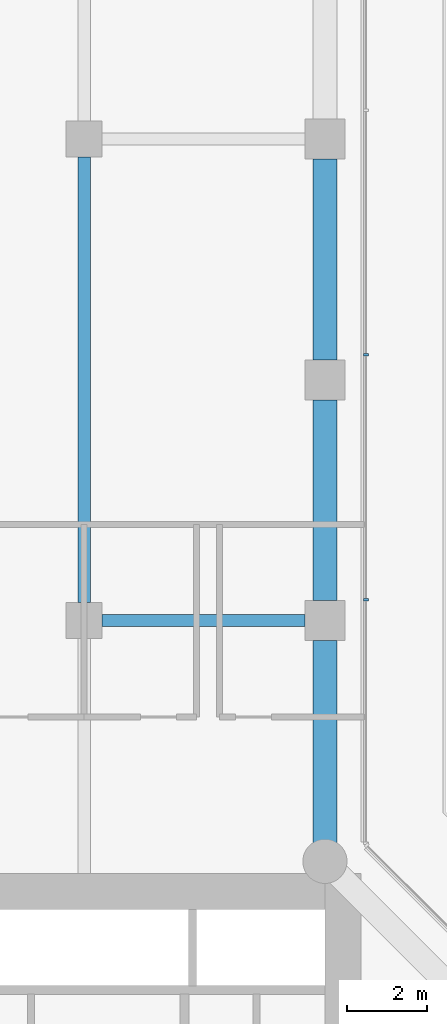
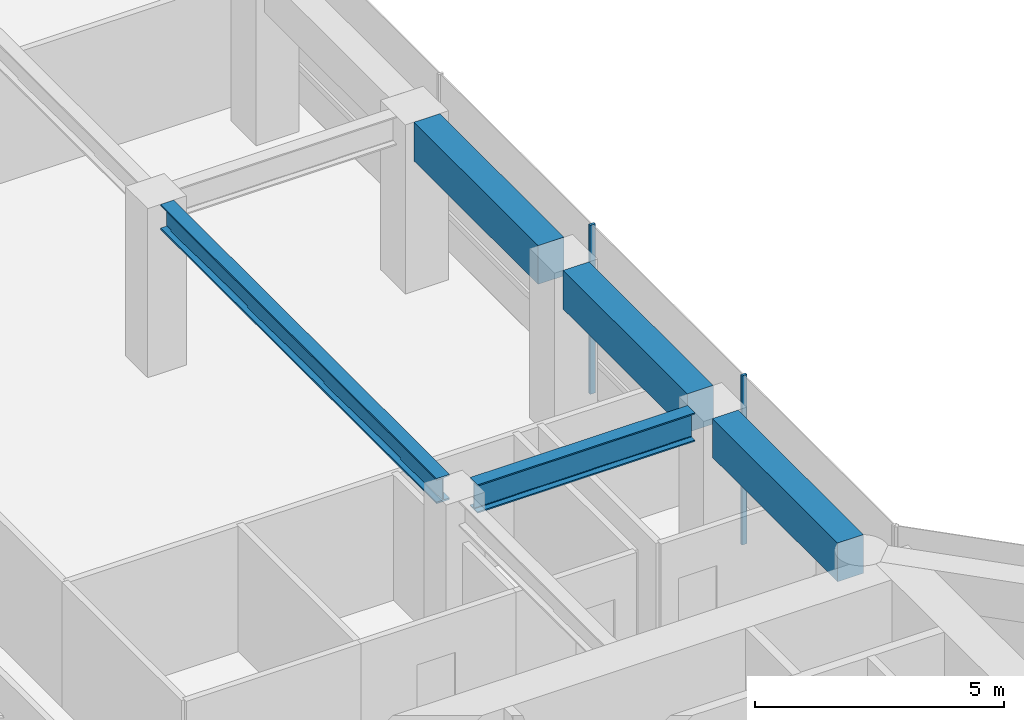
# One storey, part 14 of 24: 5 beams, 2 members, 1 element without a shape of its own.
"""IFC4 building model written with IfcOpenShell, lengths in metres."""

from ifc_helpers import new_model, si_unit, direction, frame, origin, origin_2d, place, context, subcontext, project, spatial, rectangle, i_section, extrude, material, layer, layer_set, material_profile, profile_set, type_object, element, aggregate, save


model = new_model("IFC4")

# Units and contexts
model_context = context("Model", 3, precision=1e-05, world=origin(), true_north=direction((0.0, 1.0)))
body_context = subcontext(model_context, "Body", "Model", "MODEL_VIEW")
ifc_project = project(units=[si_unit("LENGTHUNIT", "METRE"), si_unit("AREAUNIT", "SQUARE_METRE"), si_unit("VOLUMEUNIT", "CUBIC_METRE"), si_unit("PLANEANGLEUNIT", "RADIAN"), si_unit("MASSUNIT", "GRAM", prefix="KILO")], contexts=[model_context])

# Site, building, storey
site_placement = place(None, origin())
site = spatial("IfcSite", under=ifc_project, at=site_placement, CompositionType="ELEMENT")
building_placement = place(site_placement, origin())
building = spatial("IfcBuilding", under=site, at=building_placement, Name="Welwitschia Terrace Campus", CompositionType="ELEMENT")
storey_placement = place(building_placement, frame((0.0, 0.0, 24.5)))
storey = spatial("IfcBuildingStorey", under=building, at=storey_placement, Name="L05", CompositionType="ELEMENT", Elevation=24.5)

# Beam
ifc_material_1 = material(Name="Steel S355", Category="steel")
ifc_material_profile_1 = material_profile(ifc_material_1, i_section(OverallWidth=0.304931640625, OverallDepth=0.6201171875, WebThickness=0.02099609375, FlangeThickness=0.0400390625, FilletRadius=0.027099609375, at=origin_2d()))
ifc_profile_set_1 = profile_set([ifc_material_profile_1], Name="Steel S355")
beam_type_1 = type_object("IfcBeamType", Name="Interior girder HE 600 M", PredefinedType="BEAM", material=ifc_profile_set_1)
beam_1_placement = place(storey_placement, frame((18.0, 32.450439453125, 3.840087890625), z_axis=(0.0, 1.0, 0.0), x_axis=(-1.0, 0.0, 0.0)))
element("IfcBeam", 1, at=beam_1_placement, inside=storey, type_object=beam_type_1, Name="Girder GB1", PredefinedType="BEAM", context=body_context, shape_type="SweptSolid", body=[
    extrude(i_section(OverallWidth=0.304931640625, OverallDepth=0.6201171875, WebThickness=0.02099609375, FlangeThickness=0.0400390625, FilletRadius=0.027099609375, at=origin_2d()), origin(), (0.0, 0.0, 1.0), 11.09912109375),
])

# Curtain wall, members
ifc_material_2 = material(Name="Bronze anodised aluminium", Category="aluminium")
ifc_layer = layer(ifc_material_2, 0.1201171875)
ifc_layer_set = layer_set([ifc_layer], Name="Bronze anodised aluminium")
curtain_wall_type = type_object("IfcCurtainWallType", Name="Curtain wall CW2 tower 6000", PredefinedType="NOTDEFINED", material=ifc_layer_set)
curtain_wall_placement = place(storey_placement, origin())
curtain_wall = element("IfcCurtainWall", 2, at=curtain_wall_placement, inside=storey, type_object=curtain_wall_type, Name="CW L05.7.0", PredefinedType="NOTDEFINED")
ifc_material_3 = material(Name="Bronze anodised aluminium", Category="aluminium")
ifc_material_profile_2 = material_profile(ifc_material_3, rectangle(XDim=0.1201171875, YDim=0.06005859375, at=origin_2d()))
ifc_profile_set_2 = profile_set([ifc_material_profile_2], Name="Bronze anodised aluminium")
member_type = type_object("IfcMemberType", Name="Mullion 60x120", PredefinedType="MULLION", material=ifc_profile_set_2)
member_1_placement = place(storey_placement, frame((25.02001953125, 32.52197265625, 0.0), z_axis=(0.0, 0.0, 1.0), x_axis=(-1.0, 0.0, 0.0)))
member_1 = element("IfcMember", 3, at=member_1_placement, type_object=member_type, Name="Mullion L05.7.0.1", PredefinedType="MULLION", context=body_context, shape_type="SweptSolid", body=[
    extrude(rectangle(XDim=0.1201171875, YDim=0.06005859375, at=origin_2d()), origin(), (0.0, 0.0, 1.0), 4.14990234375),
])
member_2_placement = place(storey_placement, frame((25.02001953125, 38.62158203125, 0.0), z_axis=(0.0, 0.0, 1.0), x_axis=(-1.0, 0.0, 0.0)))
member_2 = element("IfcMember", 4, at=member_2_placement, type_object=member_type, Name="Mullion L05.7.0.2", PredefinedType="MULLION", context=body_context, shape_type="SweptSolid", body=[
    extrude(rectangle(XDim=0.1201171875, YDim=0.06005859375, at=origin_2d()), origin(), (0.0, 0.0, 1.0), 4.14990234375),
])
aggregate(curtain_wall, [member_1, member_2])

# Beams
ifc_material_4 = material(Name="Steel S355", Category="steel")
ifc_material_profile_3 = material_profile(ifc_material_4, i_section(OverallWidth=0.300048828125, OverallDepth=0.699951171875, WebThickness=0.01708984375, FlangeThickness=0.031982421875, FilletRadius=0.027099609375, at=origin_2d()))
ifc_profile_set_3 = profile_set([ifc_material_profile_3], Name="Steel S355")
beam_type_2 = type_object("IfcBeamType", Name="Primary beam HE 700 B", PredefinedType="BEAM", material=ifc_profile_set_3)
beam_2_placement = place(storey_placement, frame((23.49951171875, 32.0, 3.800048828125), z_axis=(-1.0, 0.0, 0.0), x_axis=(0.0, -1.0, 0.0)))
element("IfcBeam", 5, at=beam_2_placement, inside=storey, type_object=beam_type_2, Name="Primary beam PB1", PredefinedType="BEAM", context=body_context, shape_type="SweptSolid", body=[
    extrude(i_section(OverallWidth=0.300048828125, OverallDepth=0.699951171875, WebThickness=0.01708984375, FlangeThickness=0.031982421875, FilletRadius=0.027099609375, at=origin_2d()), origin(), (0.0, 0.0, 1.0), 5.049072265625),
])
ifc_material_5 = material(Name="Concrete C60/75", Category="concrete")
ifc_material_profile_4 = material_profile(ifc_material_5, rectangle(XDim=0.60009765625, YDim=0.949951171875, at=origin_2d()))
ifc_profile_set_4 = profile_set([ifc_material_profile_4], Name="Concrete C60/75")
beam_type_3 = type_object("IfcBeamType", Name="Ring spandrel 600x950", PredefinedType="SPANDREL", material=ifc_profile_set_4)
beam_3_placement = place(storey_placement, frame((24.0, 26.46142578125, 3.675048828125), z_axis=(0.0, 1.0, 0.0), x_axis=(-1.0, 0.0, 0.0)))
element("IfcBeam", 6, at=beam_3_placement, inside=storey, type_object=beam_type_3, Name="Spandrel SP1", PredefinedType="SPANDREL", context=body_context, shape_type="SweptSolid", body=[
    extrude(rectangle(XDim=0.60009765625, YDim=0.949951171875, at=origin_2d()), origin(), (0.0, 0.0, 1.0), 5.0380859375),
])
for number, where, z_axis, x_axis, name in (
    (7, (24.0, 32.50048828125, 3.675048828125), (0.0, 1.0, 0.0), (-1.0, 0.0, 0.0), "Spandrel SP1"),
    (8, (24.0, 38.50048828125, 3.675048828125), (0.0, 1.0, 0.0), (-1.0, 0.0, 0.0), "Spandrel SP1"),
):
    element("IfcBeam", number, at=place(storey_placement, frame(where, z_axis=z_axis, x_axis=x_axis)), inside=storey, type_object=beam_type_3, Name=name, PredefinedType="SPANDREL", context=body_context, shape_type="SweptSolid", body=[
        extrude(rectangle(XDim=0.60009765625, YDim=0.949951171875, at=origin_2d()), origin(), (0.0, 0.0, 1.0), 4.9990234375),
    ])

save(model, "model.ifc")
